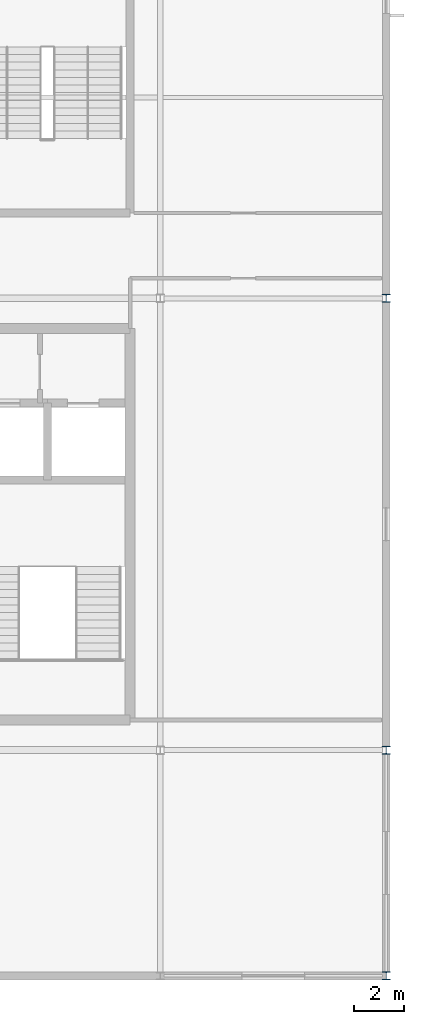
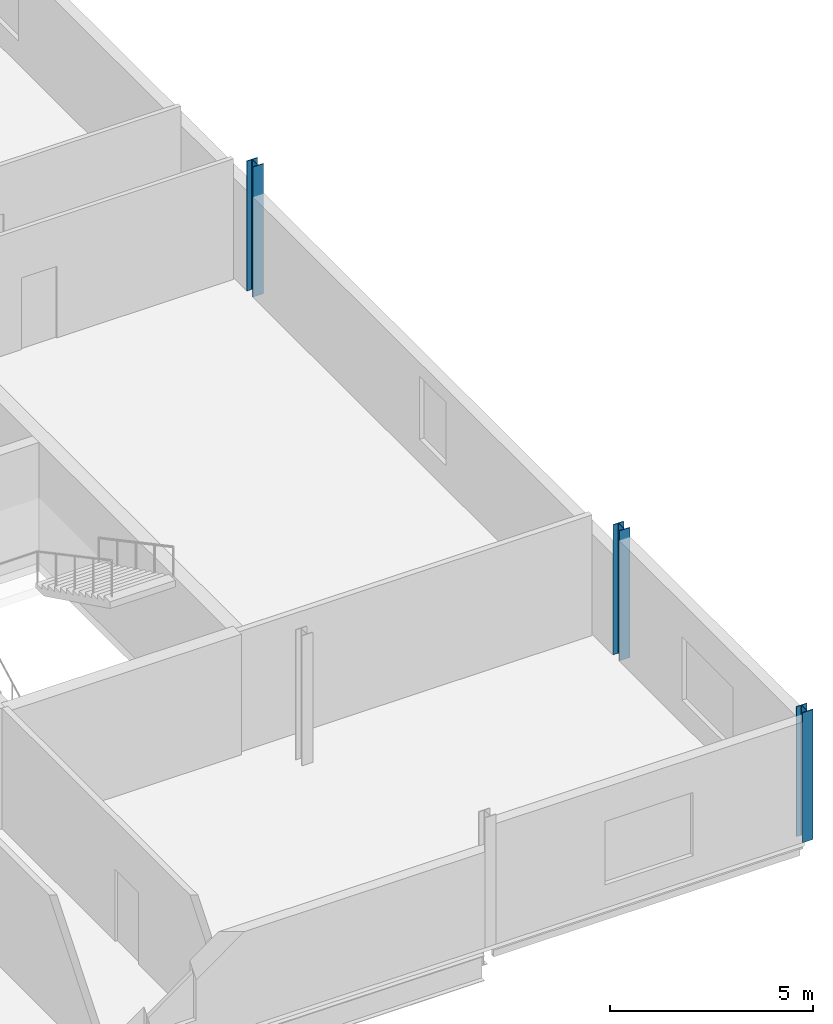
# One storey, part 8 of 31: 3 columns.
"""IFC4 building model written with IfcOpenShell, lengths in metres."""

from ifc_helpers import new_model, si_unit, direction, frame, origin, origin_2d, place, context, subcontext, project, spatial, i_section, extrude, material, material_profile, profile_set, type_object, element, save


model = new_model("IFC4")

# Units and contexts
model_context = context("Model", 3, precision=1e-05, world=origin(), true_north=direction((0.0, 1.0)))
body_context = subcontext(model_context, "Body", "Model", "MODEL_VIEW")
ifc_project = project(units=[si_unit("LENGTHUNIT", "METRE"), si_unit("AREAUNIT", "SQUARE_METRE"), si_unit("VOLUMEUNIT", "CUBIC_METRE"), si_unit("PLANEANGLEUNIT", "RADIAN"), si_unit("MASSUNIT", "GRAM", prefix="KILO")], contexts=[model_context])

# Site, building, storey
site_placement = place(None, origin())
site = spatial("IfcSite", under=ifc_project, at=site_placement, CompositionType="ELEMENT")
building_placement = place(site_placement, origin())
building = spatial("IfcBuilding", under=site, at=building_placement, Name="Kisiwana Market Hall", CompositionType="ELEMENT")
storey_placement = place(building_placement, frame((0.0, 0.0, 45.60009765625)))
storey = spatial("IfcBuildingStorey", under=building, at=storey_placement, Name="L10", CompositionType="ELEMENT", Elevation=45.60009765625)

# Columns
ifc_material = material(Name="Steel S355", Category="steel")
ifc_material_profile = material_profile(ifc_material, i_section(OverallWidth=0.300048828125, OverallDepth=0.320068359375, WebThickness=0.011474609375, FlangeThickness=0.0205078125, FilletRadius=0.027099609375, at=origin_2d()), Name="HEB 320")
ifc_profile_set = profile_set([ifc_material_profile], Name="Steel S355")
column_type = type_object("IfcColumnType", Name="COL-STL-HEB320", PredefinedType="COLUMN", material=ifc_profile_set)
for number, where, z_axis, x_axis, name in (
    (1, (198.0, 9.0, 0.0), (0.0, 0.0, 1.0), (1.0, 0.0, 0.0), "Column B/23 (L10) C-1311"),
    (2, (198.0, 18.0, 0.0), (0.0, 0.0, 1.0), (1.0, 0.0, 0.0), "Column C/23 (L10) C-1312"),
    (3, (198.0, 36.0, 0.0), (0.0, 0.0, 1.0), (1.0, 0.0, 0.0), "Column E/23 (L10) C-1313"),
):
    element("IfcColumn", number, at=place(storey_placement, frame(where, z_axis=z_axis, x_axis=x_axis)), inside=storey, type_object=column_type, Name=name, PredefinedType="COLUMN", context=body_context, shape_type="SweptSolid", body=[
        extrude(i_section(OverallWidth=0.300048828125, OverallDepth=0.320068359375, WebThickness=0.011474609375, FlangeThickness=0.0205078125, FilletRadius=0.027099609375, at=origin_2d()), origin(), (0.0, 0.0, 1.0), 3.89990234375),
    ])

save(model, "model.ifc")
